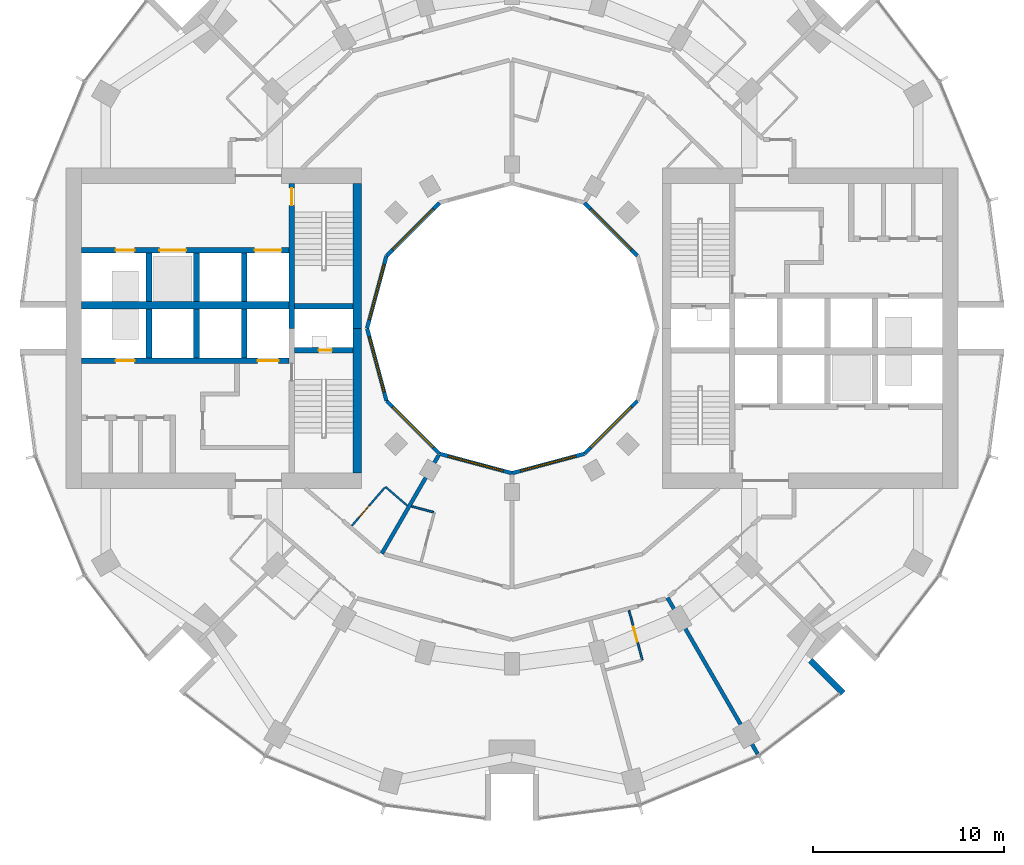
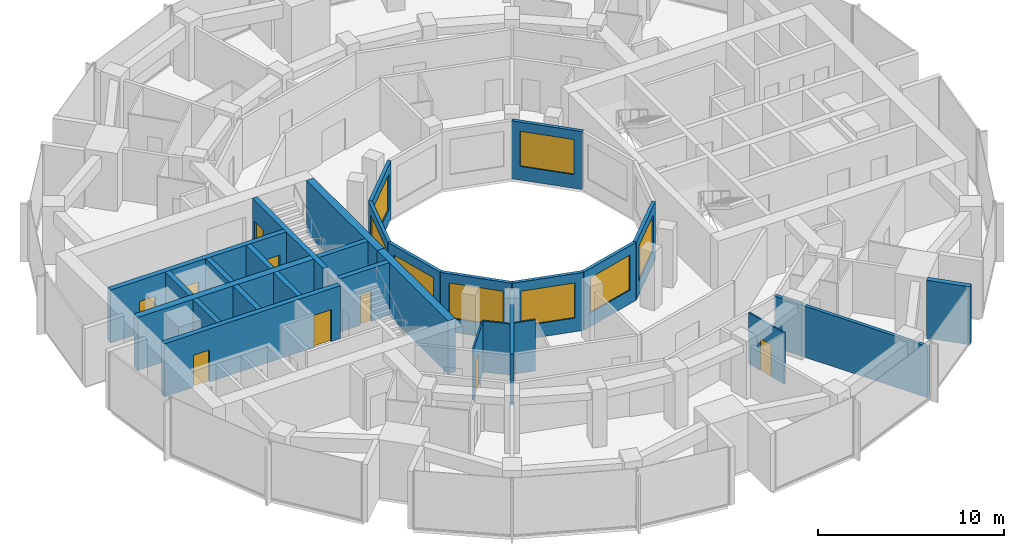
# One storey, part 9 of 15: 29 walls, 9 doors, 8 windows, 17 openings.
"""IFC4 building model written with IfcOpenShell, lengths in metres."""

import ifcopenshell
import ifcopenshell.guid

model = None  # the IFC model being written
_history = None  # IfcOwnerHistory: only IFC2X3 demands one
_inside = {}  # id of a spatial element -> (the spatial element, [elements in it])
_under = {}  # id of a project, library or spatial element -> (it, [spatial elements below it])
_declared = {}  # id of a project -> (the project, [libraries it declares])
_typed = {}  # id of a type object -> (the type object, [elements of that type])
_made_of = {}  # id of a material, layer set ... -> (it, [elements and type objects made of it])


def new_model(schema):
    """Start an empty IFC model of exactly this schema.

    Asked for "IFC4X3", IfcOpenShell would pick the latest addendum, in which some entities
    have other attributes; the version numbers below select the first issue.
    IFC2X3 requires an IfcOwnerHistory on every rooted entity: one is made here for all.
    """
    global model, _history
    if schema == "IFC4X3":
        model = ifcopenshell.file(schema_version=(4, 3, 0, 0))
    else:
        model = ifcopenshell.file(schema=schema)
    _inside.clear()
    _under.clear()
    _declared.clear()
    _typed.clear()
    _made_of.clear()
    _history = None
    if model.schema == "IFC2X3":
        org = make("IfcOrganization", Name="unknown")
        user = make(
            "IfcPersonAndOrganization",
            ThePerson=make("IfcPerson", FamilyName="unknown"),
            TheOrganization=org,
        )
        app = make(
            "IfcApplication",
            ApplicationDeveloper=org,
            Version="unknown",
            ApplicationFullName="unknown",
            ApplicationIdentifier="unknown",
        )
        _history = make(
            "IfcOwnerHistory",
            OwningUser=user,
            OwningApplication=app,
            ChangeAction="ADDED",
            CreationDate=0,
        )
    return model


def make(cls, **values):
    """One entity of the class cls with the attributes given. An attribute that is None is left unset."""
    return model.create_entity(
        cls, **{name: value for name, value in values.items() if value is not None}
    )


def rooted(cls, **values):
    """An entity with a GlobalId (a new one), such as an element, a storey or a relation."""
    return make(cls, GlobalId=ifcopenshell.guid.new(), OwnerHistory=_history, **values)


def si_unit(unit_type, name, prefix=None):
    """IfcSIUnit, for example si_unit("LENGTHUNIT", "METRE", prefix="MILLI")."""
    return make("IfcSIUnit", UnitType=unit_type, Prefix=prefix, Name=name)


def assignment(units):
    """IfcUnitAssignment: the units of a project."""
    return None if units is None else make("IfcUnitAssignment", Units=units)


def point(xyz):
    """IfcCartesianPoint."""
    return None if xyz is None else make("IfcCartesianPoint", Coordinates=xyz)


def direction(xyz):
    """IfcDirection."""
    return None if xyz is None else make("IfcDirection", DirectionRatios=xyz)


def frame(location, z_axis=None, x_axis=None):
    """IfcAxis2Placement3D, a coordinate frame: its origin and axes. An axis left out is left unset."""
    return make(
        "IfcAxis2Placement3D",
        Location=point(location),
        Axis=direction(z_axis),
        RefDirection=direction(x_axis),
    )


def frame_2d(location, x_axis=None):
    """IfcAxis2Placement2D, a coordinate frame in the plane: its origin and x axis."""
    return make(
        "IfcAxis2Placement2D", Location=point(location), RefDirection=direction(x_axis)
    )


def origin():
    """The frame at (0, 0, 0) with its axes left unset."""
    return frame((0.0, 0.0, 0.0))


def place(relative_to, where):
    """IfcLocalPlacement: puts the frame where relative to a parent placement (None: the world)."""
    return make(
        "IfcLocalPlacement", PlacementRelTo=relative_to, RelativePlacement=where
    )


def context(
    kind, dimensions, precision=None, world=None, true_north=None, identifier=None
):
    """IfcGeometricRepresentationContext, for example the 3D "Model" context."""
    return make(
        "IfcGeometricRepresentationContext",
        ContextIdentifier=identifier,
        ContextType=kind,
        CoordinateSpaceDimension=dimensions,
        Precision=precision,
        WorldCoordinateSystem=world,
        TrueNorth=true_north,
    )


def subcontext(parent, identifier, kind, view, scale=None):
    """IfcGeometricRepresentationSubContext, for example "Body" below "Model"."""
    return make(
        "IfcGeometricRepresentationSubContext",
        ContextIdentifier=identifier,
        ContextType=kind,
        ParentContext=parent,
        TargetScale=scale,
        TargetView=view,
    )


def project(units=None, contexts=None):
    """IfcProject with its units and contexts."""
    return rooted(
        "IfcProject",
        Name="project",
        RepresentationContexts=contexts,
        UnitsInContext=assignment(units),
    )


def spatial(cls, under=None, at=None, **own):
    """A site, building, storey or space (cls), placed at a placement, below another one or the project."""
    s = rooted(cls, ObjectPlacement=at, **own)
    if under is not None:
        _under.setdefault(under.id(), (under, []))[1].append(s)
    return s


def profile(cls, at=None, kind="AREA", **sizes):
    """A parametric profile (cls). Its sizes go by their IFC names, for example OverallWidth=200.0."""
    return make(cls, ProfileType=kind, Position=at, **sizes)


def rectangle(**sizes):
    """IfcRectangleProfileDef."""
    return profile("IfcRectangleProfileDef", **sizes)


def extrude(swept, where, along, depth):
    """IfcExtrudedAreaSolid: the profile swept, set in the frame where, extruded along a direction by depth."""
    return make(
        "IfcExtrudedAreaSolid",
        SweptArea=swept,
        Position=where,
        ExtrudedDirection=direction(along),
        Depth=depth,
    )


def shape(context_of_items, identifier, shape_type, items):
    """IfcShapeRepresentation: the items that make up one representation, for example the "Body"."""
    return make(
        "IfcShapeRepresentation",
        ContextOfItems=context_of_items,
        RepresentationIdentifier=identifier,
        RepresentationType=shape_type,
        Items=items,
    )


def material(Name=None, Category=None):
    """IfcMaterial."""
    return make("IfcMaterial", Name=Name, Category=Category)


def layer(
    of_material, thickness, ventilated=None, Name=None, Category=None, Priority=None
):
    """IfcMaterialLayer: one layer of a wall or slab, of a material (None: an air gap)."""
    return make(
        "IfcMaterialLayer",
        Material=of_material,
        LayerThickness=thickness,
        IsVentilated=ventilated,
        Name=Name,
        Category=Category,
        Priority=Priority,
    )


def layer_set(layers, Name=None):
    """IfcMaterialLayerSet."""
    return make("IfcMaterialLayerSet", MaterialLayers=layers, LayerSetName=Name)


def made_of(thing, what):
    """Note that an element or type object is made of a material, layer set ...; save() writes the relation."""
    if what is not None:
        _made_of.setdefault(what.id(), (what, []))[1].append(thing)
    return thing


def type_object(cls, material=None, **own):
    """A type object (cls), such as IfcWallType, which elements share."""
    return made_of(rooted(cls, **own), material)


def element(
    cls,
    number,
    at=None,
    inside=None,
    cuts=None,
    type_object=None,
    material=None,
    context=None,
    identifier="Body",
    shape_type=None,
    held_by="IfcProductDefinitionShape",
    body=None,
    shapes=None,
    **own,
):
    """One element of the class cls, such as IfcWall. Its Tag is "e" and its number.

    at: its placement. inside: the storey or other place that contains it. cuts: it is an
    opening in that element (IfcRelVoidsElement). A single representation is given by context,
    identifier, shape_type and body (its items); several are given by shapes. held_by: the class
    of the entity that holds the representations. save() writes the other relations.
    """
    e = rooted(cls, Tag="e%d" % number, ObjectPlacement=at, **own)
    if body is not None:
        shapes = [shape(context, identifier, shape_type, body)]
    if shapes is not None:
        e.Representation = make(held_by, Representations=shapes)
    if inside is not None:
        _inside.setdefault(inside.id(), (inside, []))[1].append(e)
    if cuts is not None:
        rooted(
            "IfcRelVoidsElement", RelatingBuildingElement=cuts, RelatedOpeningElement=e
        )
    if type_object is not None:
        _typed.setdefault(type_object.id(), (type_object, []))[1].append(e)
    return made_of(e, material)


def fill(opening, filler):
    """IfcRelFillsElement: the door or window that sits in an opening."""
    return rooted(
        "IfcRelFillsElement",
        RelatingOpeningElement=opening,
        RelatedBuildingElement=filler,
    )


def aggregate(whole, parts):
    """IfcRelAggregates: a whole, such as a stair, and the parts it consists of."""
    return rooted("IfcRelAggregates", RelatingObject=whole, RelatedObjects=parts)


def save(model, path):
    """Write the relations noted so far, then the file.

    IfcRelAggregates (storeys below a building ...), IfcRelContainedInSpatialStructure (elements
    in a storey), IfcRelDefinesByType, IfcRelAssociatesMaterial and IfcRelDeclares: one each for
    every whole, place, type object, material and project.
    """
    for whole, parts in _under.values():
        aggregate(whole, parts)
    for where, things in _inside.values():
        rooted(
            "IfcRelContainedInSpatialStructure",
            RelatedElements=things,
            RelatingStructure=where,
        )
    for kind, things in _typed.values():
        rooted("IfcRelDefinesByType", RelatedObjects=things, RelatingType=kind)
    for what, things in _made_of.values():
        rooted("IfcRelAssociatesMaterial", RelatedObjects=things, RelatingMaterial=what)
    for by, libraries in _declared.values():
        rooted("IfcRelDeclares", RelatingContext=by, RelatedDefinitions=libraries)
    model.write(path)


model = new_model("IFC4")

# Units and contexts
model_context = context("Model", 3, precision=1e-05, world=origin(), true_north=direction((0.0, 1.0)))
body_context = subcontext(model_context, "Body", "Model", "MODEL_VIEW")
ifc_project = project(units=[si_unit("LENGTHUNIT", "METRE"), si_unit("AREAUNIT", "SQUARE_METRE"), si_unit("VOLUMEUNIT", "CUBIC_METRE"), si_unit("PLANEANGLEUNIT", "RADIAN"), si_unit("MASSUNIT", "GRAM", prefix="KILO")], contexts=[model_context])

# Site, building, storey
site_placement = place(None, origin())
site = spatial("IfcSite", under=ifc_project, at=site_placement, CompositionType="ELEMENT")
building_placement = place(site_placement, origin())
building = spatial("IfcBuilding", under=site, at=building_placement, Name="Torre Brocal", CompositionType="ELEMENT")
storey_placement = place(building_placement, frame((0.0, 0.0, 93.800048828125)))
storey = spatial("IfcBuildingStorey", under=building, at=storey_placement, Name="L21", CompositionType="ELEMENT", Elevation=93.800048828125)

# Wall, opening, door
ifc_material_1 = material(Name="Concrete C80", Category="concrete")
ifc_layer_1 = layer(ifc_material_1, 0.300048828125)
ifc_layer_set_1 = layer_set([ifc_layer_1], Name="Concrete C80")
wall_type_1 = type_object("IfcWallType", Name="CORE WALL 300 C80", PredefinedType="SHEAR", material=ifc_layer_set_1)
wall_1_placement = place(storey_placement, frame((68.449951171875, 82.60009765625, 0.0), z_axis=(0.0, 0.0, 1.0), x_axis=(0.0, -1.0, 0.0)))
wall_1 = element("IfcWall", 1, at=wall_1_placement, inside=storey, type_object=wall_type_1, Name="Wall CW300-80", PredefinedType="SHEAR", context=body_context, shape_type="SweptSolid", body=[
    extrude(rectangle(XDim=7.60009765625, YDim=0.300048828125, at=frame_2d((3.800048828125, 0.0))), origin(), (0.0, 0.0, 1.0), 3.47998046875),
])
opening_1_placement = place(wall_1_placement, frame((0.25, 0.0, 0.0)))
opening_1 = element("IfcOpeningElement", 2, at=opening_1_placement, cuts=wall_1, Name="Opening W-D03", PredefinedType="OPENING", context=body_context, shape_type="SweptSolid", body=[
    extrude(rectangle(XDim=0.89990234375, YDim=2.10009765625, at=frame_2d((0.449951171875, 1.050048828125))), frame((0.0, 0.159912109375, 0.0), z_axis=(0.0, -1.0, 0.0), x_axis=(1.0, 0.0, 0.0)), (0.0, 0.0, 1.0), 0.320068359375),
])
ifc_material_2 = material(Name="Steel A653", Category="steel")
door_type_1 = type_object("IfcDoorType", Name="STAIR DOOR FD120 900X2100", OperationType="SINGLE_SWING_RIGHT", PredefinedType="DOOR", material=ifc_material_2)
door_1_placement = place(opening_1_placement, origin())
door_1 = element("IfcDoor", 3, at=door_1_placement, inside=storey, type_object=door_type_1, Name="Door W-D03", OperationType="SINGLE_SWING_LEFT", OverallHeight=2.10009765625, OverallWidth=0.89990234375, PredefinedType="DOOR", context=body_context, shape_type="SweptSolid", body=[
    extrude(rectangle(XDim=0.89990234375, YDim=2.10009765625, at=frame_2d((0.449951171875, 1.050048828125))), frame((0.0, 0.02490234375, 0.0), z_axis=(0.0, -1.0, 0.0), x_axis=(1.0, 0.0, 0.0)), (0.0, 0.0, 1.0), 0.050048828125),
])
fill(opening_1, door_1)

wall_2_placement = place(storey_placement, frame((71.64990234375, 73.85009765625, 0.0), z_axis=(0.0, 0.0, 1.0), x_axis=(-1.0, 0.0, 0.0)))
wall_2 = element("IfcWall", 4, at=wall_2_placement, inside=storey, type_object=wall_type_1, Name="Wall CW300-80", PredefinedType="SHEAR", context=body_context, shape_type="SweptSolid", body=[
    extrude(rectangle(XDim=3.0498046875, YDim=0.300048828125, at=frame_2d((1.52490234375, 0.0))), origin(), (0.0, 0.0, 1.0), 3.47998046875),
])
opening_2_placement = place(wall_2_placement, frame((1.10009765625, 0.0, 0.0)))
opening_2 = element("IfcOpeningElement", 5, at=opening_2_placement, cuts=wall_2, Name="Opening W-D01", PredefinedType="OPENING", context=body_context, shape_type="SweptSolid", body=[
    extrude(rectangle(XDim=0.699951171875, YDim=2.0, at=frame_2d((0.35009765625, 1.0))), frame((0.0, 0.159912109375, 0.0), z_axis=(0.0, -1.0, 0.0), x_axis=(1.0, 0.0, 0.0)), (0.0, 0.0, 1.0), 0.320068359375),
])
ifc_material_3 = material(Name="Steel A653", Category="steel")
door_type_2 = type_object("IfcDoorType", Name="RISER DOOR FD120 700X2000", OperationType="SINGLE_SWING_LEFT", PredefinedType="DOOR", material=ifc_material_3)
door_2_placement = place(opening_2_placement, frame((0.699951171875, 0.0, 0.0), z_axis=(0.0, 0.0, 1.0), x_axis=(-1.0, 0.0, 0.0)))
door_2 = element("IfcDoor", 6, at=door_2_placement, inside=storey, type_object=door_type_2, Name="Door W-D01", OperationType="SINGLE_SWING_RIGHT", OverallHeight=2.0, OverallWidth=0.699951171875, PredefinedType="DOOR", context=body_context, shape_type="SweptSolid", body=[
    extrude(rectangle(XDim=0.699951171875, YDim=2.0, at=frame_2d((0.35009765625, 1.0))), frame((0.0, 0.02490234375, 0.0), z_axis=(0.0, -1.0, 0.0), x_axis=(1.0, 0.0, 0.0)), (0.0, 0.0, 1.0), 0.050048828125),
])
fill(opening_2, door_2)

# Wall
wall_3_placement = place(storey_placement, frame((71.64990234375, 76.14990234375, 0.0), z_axis=(0.0, 0.0, 1.0), x_axis=(-1.0, 0.0, 0.0)))
element("IfcWall", 7, at=wall_3_placement, inside=storey, type_object=wall_type_1, Name="Wall CW300-80", PredefinedType="SHEAR", context=body_context, shape_type="SweptSolid", body=[
    extrude(rectangle(XDim=3.0498046875, YDim=0.300048828125, at=frame_2d((1.52490234375, 0.0))), origin(), (0.0, 0.0, 1.0), 3.47998046875),
])

# Wall, openings, doors
wall_4_placement = place(storey_placement, frame((68.300048828125, 73.300048828125, 0.0), z_axis=(0.0, 0.0, 1.0), x_axis=(-1.0, 0.0, 0.0)))
wall_4 = element("IfcWall", 8, at=wall_4_placement, inside=storey, type_object=wall_type_1, Name="Wall CW300-80", PredefinedType="SHEAR", context=body_context, shape_type="SweptSolid", body=[
    extrude(rectangle(XDim=10.900146484375, YDim=0.300048828125, at=frame_2d((5.4501953125, 0.0))), origin(), (0.0, 0.0, 1.0), 3.47998046875),
])
opening_3_placement = place(wall_4_placement, frame((0.550048828125, 0.0, 0.0)))
opening_3 = element("IfcOpeningElement", 9, at=opening_3_placement, cuts=wall_4, Name="Opening LD", PredefinedType="OPENING", context=body_context, shape_type="SweptSolid", body=[
    extrude(rectangle(XDim=1.10009765625, YDim=2.10009765625, at=frame_2d((0.550048828125, 1.050048828125))), frame((0.0, 0.159912109375, 0.0), z_axis=(0.0, -1.0, 0.0), x_axis=(1.0, 0.0, 0.0)), (0.0, 0.0, 1.0), 0.320068359375),
])
opening_4_placement = place(wall_4_placement, frame((8.10009765625, 0.0, 0.0)))
opening_4 = element("IfcOpeningElement", 10, at=opening_4_placement, cuts=wall_4, Name="Opening LD10", PredefinedType="OPENING", context=body_context, shape_type="SweptSolid", body=[
    extrude(rectangle(XDim=1.0, YDim=2.10009765625, at=frame_2d((0.5, 1.050048828125))), frame((0.0, 0.159912109375, 0.0), z_axis=(0.0, -1.0, 0.0), x_axis=(1.0, 0.0, 0.0)), (0.0, 0.0, 1.0), 0.320068359375),
])
ifc_material_4 = material(Name="Stainless steel AISI 316", Category="steel")
door_type_3 = type_object("IfcDoorType", Name="LIFT LANDING DOOR 1000X2100", OperationType="DOUBLE_DOOR_SLIDING", PredefinedType="DOOR", material=ifc_material_4)
door_3_placement = place(opening_4_placement, origin())
door_3 = element("IfcDoor", 11, at=door_3_placement, inside=storey, type_object=door_type_3, Name="Door LD10", OperationType="DOUBLE_DOOR_SLIDING", OverallHeight=2.10009765625, OverallWidth=1.0, PredefinedType="DOOR", context=body_context, shape_type="SweptSolid", body=[
    extrude(rectangle(XDim=1.0, YDim=2.10009765625, at=frame_2d((0.5, 1.050048828125))), frame((0.0, 0.02490234375, 0.0), z_axis=(0.0, -1.0, 0.0), x_axis=(1.0, 0.0, 0.0)), (0.0, 0.0, 1.0), 0.050048828125),
])
fill(opening_4, door_3)
ifc_material_5 = material(Name="Stainless steel AISI 316", Category="steel")
door_type_4 = type_object("IfcDoorType", Name="LIFT LANDING DOOR 1100X2100", OperationType="DOUBLE_DOOR_SLIDING", PredefinedType="DOOR", material=ifc_material_5)
door_4_placement = place(opening_3_placement, origin())
door_4 = element("IfcDoor", 12, at=door_4_placement, inside=storey, type_object=door_type_4, Name="Door LD", OperationType="DOUBLE_DOOR_SLIDING", OverallHeight=2.10009765625, OverallWidth=1.10009765625, PredefinedType="DOOR", context=body_context, shape_type="SweptSolid", body=[
    extrude(rectangle(XDim=1.10009765625, YDim=2.10009765625, at=frame_2d((0.550048828125, 1.050048828125))), frame((0.0, 0.02490234375, 0.0), z_axis=(0.0, -1.0, 0.0), x_axis=(1.0, 0.0, 0.0)), (0.0, 0.0, 1.0), 0.050048828125),
])
fill(opening_3, door_4)

wall_5_placement = place(storey_placement, frame((68.300048828125, 79.10009765625, 0.0), z_axis=(0.0, 0.0, 1.0), x_axis=(-1.0, 0.0, 0.0)))
wall_5 = element("IfcWall", 13, at=wall_5_placement, inside=storey, type_object=wall_type_1, Name="Wall CW300-80", PredefinedType="SHEAR", context=body_context, shape_type="SweptSolid", body=[
    extrude(rectangle(XDim=10.900146484375, YDim=0.300048828125, at=frame_2d((5.4501953125, 0.0))), origin(), (0.0, 0.0, 1.0), 3.47998046875),
])
opening_5_placement = place(wall_5_placement, frame((0.39990234375, 0.0, 0.0)))
opening_5 = element("IfcOpeningElement", 14, at=opening_5_placement, cuts=wall_5, Name="Opening LD14", PredefinedType="OPENING", context=body_context, shape_type="SweptSolid", body=[
    extrude(rectangle(XDim=1.39990234375, YDim=2.10009765625, at=frame_2d((0.699951171875, 1.050048828125))), frame((0.0, 0.159912109375, 0.0), z_axis=(0.0, -1.0, 0.0), x_axis=(1.0, 0.0, 0.0)), (0.0, 0.0, 1.0), 0.320068359375),
])
opening_6_placement = place(wall_5_placement, frame((5.39990234375, 0.0, 0.0)))
opening_6 = element("IfcOpeningElement", 15, at=opening_6_placement, cuts=wall_5, Name="Opening LD14", PredefinedType="OPENING", context=body_context, shape_type="SweptSolid", body=[
    extrude(rectangle(XDim=1.39990234375, YDim=2.10009765625, at=frame_2d((0.699951171875, 1.050048828125))), frame((0.0, 0.159912109375, 0.0), z_axis=(0.0, -1.0, 0.0), x_axis=(1.0, 0.0, 0.0)), (0.0, 0.0, 1.0), 0.320068359375),
])
opening_7_placement = place(wall_5_placement, frame((8.10009765625, 0.0, 0.0)))
opening_7 = element("IfcOpeningElement", 16, at=opening_7_placement, cuts=wall_5, Name="Opening LD10", PredefinedType="OPENING", context=body_context, shape_type="SweptSolid", body=[
    extrude(rectangle(XDim=1.0, YDim=2.10009765625, at=frame_2d((0.5, 1.050048828125))), frame((0.0, 0.159912109375, 0.0), z_axis=(0.0, -1.0, 0.0), x_axis=(1.0, 0.0, 0.0)), (0.0, 0.0, 1.0), 0.320068359375),
])
door_5_placement = place(opening_7_placement, origin())
door_5 = element("IfcDoor", 17, at=door_5_placement, inside=storey, type_object=door_type_3, Name="Door LD10", OperationType="DOUBLE_DOOR_SLIDING", OverallHeight=2.10009765625, OverallWidth=1.0, PredefinedType="DOOR", context=body_context, shape_type="SweptSolid", body=[
    extrude(rectangle(XDim=1.0, YDim=2.10009765625, at=frame_2d((0.5, 1.050048828125))), frame((0.0, 0.02490234375, 0.0), z_axis=(0.0, -1.0, 0.0), x_axis=(1.0, 0.0, 0.0)), (0.0, 0.0, 1.0), 0.050048828125),
])
fill(opening_7, door_5)
ifc_material_6 = material(Name="Stainless steel AISI 316", Category="steel")
door_type_5 = type_object("IfcDoorType", Name="LIFT LANDING DOOR 1400X2100", OperationType="DOUBLE_DOOR_SLIDING", PredefinedType="DOOR", material=ifc_material_6)
door_6_placement = place(opening_5_placement, origin())
door_6 = element("IfcDoor", 18, at=door_6_placement, inside=storey, type_object=door_type_5, Name="Door LD14", OperationType="DOUBLE_DOOR_SLIDING", OverallHeight=2.10009765625, OverallWidth=1.39990234375, PredefinedType="DOOR", context=body_context, shape_type="SweptSolid", body=[
    extrude(rectangle(XDim=1.39990234375, YDim=2.10009765625, at=frame_2d((0.699951171875, 1.050048828125))), frame((0.0, 0.02490234375, 0.0), z_axis=(0.0, -1.0, 0.0), x_axis=(1.0, 0.0, 0.0)), (0.0, 0.0, 1.0), 0.050048828125),
])
fill(opening_5, door_6)
door_7_placement = place(opening_6_placement, origin())
door_7 = element("IfcDoor", 19, at=door_7_placement, inside=storey, type_object=door_type_5, Name="Door LD14", OperationType="DOUBLE_DOOR_SLIDING", OverallHeight=2.10009765625, OverallWidth=1.39990234375, PredefinedType="DOOR", context=body_context, shape_type="SweptSolid", body=[
    extrude(rectangle(XDim=1.39990234375, YDim=2.10009765625, at=frame_2d((0.699951171875, 1.050048828125))), frame((0.0, 0.02490234375, 0.0), z_axis=(0.0, -1.0, 0.0), x_axis=(1.0, 0.0, 0.0)), (0.0, 0.0, 1.0), 0.050048828125),
])
fill(opening_6, door_7)

# Walls
for number, where, z_axis, x_axis, name in (
    (20, (65.949951171875, 76.0, 0.0), (0.0, 0.0, 1.0), (0.0, -1.0, 0.0), "Wall CW300-80"),
    (21, (63.449951171875, 76.0, 0.0), (0.0, 0.0, 1.0), (0.0, -1.0, 0.0), "Wall CW300-80"),
    (22, (60.949951171875, 76.0, 0.0), (0.0, 0.0, 1.0), (0.0, -1.0, 0.0), "Wall CW300-80"),
    (23, (65.949951171875, 78.949951171875, 0.0), (0.0, 0.0, 1.0), (0.0, -1.0, 0.0), "Wall CW300-80"),
    (24, (63.449951171875, 78.949951171875, 0.0), (0.0, 0.0, 1.0), (0.0, -1.0, 0.0), "Wall CW300-80"),
    (25, (60.949951171875, 78.949951171875, 0.0), (0.0, 0.0, 1.0), (0.0, -1.0, 0.0), "Wall CW300-80"),
):
    element("IfcWall", number, at=place(storey_placement, frame(where, z_axis=z_axis, x_axis=x_axis)), inside=storey, type_object=wall_type_1, Name=name, PredefinedType="SHEAR", context=body_context, shape_type="SweptSolid", body=[
        extrude(rectangle(XDim=2.550048828125, YDim=0.300048828125, at=frame_2d((1.27490234375, 0.0))), origin(), (0.0, 0.0, 1.0), 3.47998046875),
    ])
ifc_material_7 = material(Name="Concrete C80", Category="concrete")
ifc_layer_2 = layer(ifc_material_7, 0.39990234375)
ifc_layer_set_2 = layer_set([ifc_layer_2], Name="Concrete C80")
wall_type_2 = type_object("IfcWallType", Name="CORE WALL 400 C80", PredefinedType="SHEAR", material=ifc_layer_set_2)
wall_6_placement = place(storey_placement, frame((68.300048828125, 76.199951171875, 0.0), z_axis=(0.0, 0.0, 1.0), x_axis=(-1.0, 0.0, 0.0)))
element("IfcWall", 26, at=wall_6_placement, inside=storey, type_object=wall_type_2, Name="Wall CW400-80", PredefinedType="SHEAR", context=body_context, shape_type="SweptSolid", body=[
    extrude(rectangle(XDim=10.900146484375, YDim=0.39990234375, at=frame_2d((5.4501953125, 0.0))), origin(), (0.0, 0.0, 1.0), 3.47998046875),
])
ifc_material_8 = material(Name="Concrete C80", Category="concrete")
ifc_layer_3 = layer(ifc_material_8, 0.449951171875)
ifc_layer_set_3 = layer_set([ifc_layer_3], Name="Concrete C80")
wall_type_3 = type_object("IfcWallType", Name="CORE WALL 450 C80", PredefinedType="SHEAR", material=ifc_layer_set_3)
for number, where, z_axis, x_axis, name in (
    (27, (71.875, 75.0, 0.0), (0.0, 0.0, 1.0), (0.0, -1.0, 0.0), "Wall CW450-80"),
    (28, (71.875, 82.60009765625, 0.0), (0.0, 0.0, 1.0), (0.0, -1.0, 0.0), "Wall CW450-80"),
):
    element("IfcWall", number, at=place(storey_placement, frame(where, z_axis=z_axis, x_axis=x_axis)), inside=storey, type_object=wall_type_3, Name=name, PredefinedType="SHEAR", context=body_context, shape_type="SweptSolid", body=[
        extrude(rectangle(XDim=7.60009765625, YDim=0.449951171875, at=frame_2d((3.800048828125, 0.0))), origin(), (0.0, 0.0, 1.0), 3.47998046875),
    ])
ifc_material_9 = material(Name="Concrete C80", Category="concrete")
ifc_layer_4 = layer(ifc_material_9, 0.300048828125)
ifc_layer_set_4 = layer_set([ifc_layer_4], Name="Concrete C80")
wall_type_4 = type_object("IfcWallType", Name="NOTCH RETURN WALL 300 C80", PredefinedType="NOTDEFINED", material=ifc_layer_set_4)
wall_7_placement = place(storey_placement, frame((95.662353515625, 57.56982421875, 0.0), z_axis=(0.0, 0.0, 1.0), x_axis=(0.707106781187, -0.707106781187, 0.0)))
element("IfcWall", 29, at=wall_7_placement, inside=storey, type_object=wall_type_4, Name="NOTCH RETURN WALL", PredefinedType="NOTDEFINED", context=body_context, shape_type="SweptSolid", body=[
    extrude(rectangle(XDim=2.415771484375, YDim=0.300048828125, at=frame_2d((1.2080078125, 0.0))), origin(), (0.0, 0.0, 1.0), 3.800048828125),
])

# Wall, opening, door
ifc_material_10 = material(Name="Gypsum board", Category="Gypsum")
ifc_layer_5 = layer(ifc_material_10, 0.10009765625)
ifc_layer_set_5 = layer_set([ifc_layer_5], Name="Gypsum board")
wall_type_5 = type_object("IfcWallType", Name="PARTITION 100", PredefinedType="PARTITIONING", material=ifc_layer_set_5)
wall_8_placement = place(storey_placement, frame((71.59619140625, 64.634765625, 0.0), z_axis=(0.0, 0.0, 1.0), x_axis=(0.652285007511, 0.757973791748, 0.0)))
wall_8 = element("IfcWall", 30, at=wall_8_placement, inside=storey, type_object=wall_type_5, Name="BATHROOM WALL", PredefinedType="PARTITIONING", context=body_context, shape_type="SweptSolid", body=[
    extrude(rectangle(XDim=2.649658203125, YDim=0.10009765625, at=frame_2d((1.32470703125, 0.0))), origin(), (0.0, 0.0, 1.0), 3.349853515625),
])
opening_8_placement = place(wall_8_placement, frame((0.599609375, 0.0, 0.0)))
opening_8 = element("IfcOpeningElement", 31, at=opening_8_placement, cuts=wall_8, Name="Opening H06-D34", PredefinedType="OPENING", context=body_context, shape_type="SweptSolid", body=[
    extrude(rectangle(XDim=0.800048828125, YDim=2.10009765625, at=frame_2d((0.39990234375, 1.050048828125))), frame((0.0, 0.06005859375, 0.0), z_axis=(0.0, -1.0, 0.0), x_axis=(1.0, 0.0, 0.0)), (0.0, 0.0, 1.0), 0.1201171875),
])
ifc_material_11 = material(Name="Timber", Category="wood")
door_type_6 = type_object("IfcDoorType", Name="BATHROOM DOOR 800X2100", OperationType="SINGLE_SWING_LEFT", PredefinedType="DOOR", material=ifc_material_11)
door_8_placement = place(opening_8_placement, frame((0.800048828125, 0.0, 0.0), z_axis=(0.0, 0.0, 1.0), x_axis=(-1.0, 0.0, 0.0)))
door_8 = element("IfcDoor", 32, at=door_8_placement, inside=storey, type_object=door_type_6, Name="H06-D34", OperationType="SINGLE_SWING_RIGHT", OverallHeight=2.10009765625, OverallWidth=0.800048828125, PredefinedType="DOOR", context=body_context, shape_type="SweptSolid", body=[
    extrude(rectangle(XDim=0.800048828125, YDim=2.10009765625, at=frame_2d((0.39990234375, 1.050048828125))), frame((0.0, 0.02490234375, 0.0), z_axis=(0.0, -1.0, 0.0), x_axis=(1.0, 0.0, 0.0)), (0.0, 0.0, 1.0), 0.050048828125),
])
fill(opening_8, door_8)

# Walls
wall_9_placement = place(storey_placement, frame((73.35693359375, 66.680908203125, 0.0), z_axis=(0.0, 0.0, 1.0), x_axis=(0.758263469747, -0.651948242154, 0.0)))
element("IfcWall", 33, at=wall_9_placement, inside=storey, type_object=wall_type_5, Name="BATHROOM WALL", PredefinedType="PARTITIONING", context=body_context, shape_type="SweptSolid", body=[
    extrude(rectangle(XDim=1.510986328125, YDim=0.10009765625, at=frame_2d((0.75537109375, 0.0))), origin(), (0.0, 0.0, 1.0), 3.349853515625),
])
wall_10_placement = place(storey_placement, frame((74.729248046875, 65.657470703125, 0.0), z_axis=(0.0, 0.0, 1.0), x_axis=(0.965948051503, -0.258736085224, 0.0)))
element("IfcWall", 34, at=wall_10_placement, inside=storey, type_object=wall_type_5, Name="BATHROOM WALL", PredefinedType="PARTITIONING", context=body_context, shape_type="SweptSolid", body=[
    extrude(rectangle(XDim=1.18896484375, YDim=0.10009765625, at=frame_2d((0.594482421875, 0.0))), origin(), (0.0, 0.0, 1.0), 3.349853515625),
])

# Wall, opening, door
wall_11_placement = place(storey_placement, frame((86.139892578125, 60.196044921875, 0.0), z_axis=(0.0, 0.0, 1.0), x_axis=(0.258945475746, -0.965891940432, 0.0)))
wall_11 = element("IfcWall", 35, at=wall_11_placement, inside=storey, type_object=wall_type_5, Name="BATHROOM WALL", PredefinedType="PARTITIONING", context=body_context, shape_type="SweptSolid", body=[
    extrude(rectangle(XDim=2.7001953125, YDim=0.10009765625, at=frame_2d((1.35009765625, 0.0))), origin(), (0.0, 0.0, 1.0), 3.349853515625),
])
opening_9_placement = place(wall_11_placement, frame((0.89990234375, 0.0, 0.0)))
opening_9 = element("IfcOpeningElement", 36, at=opening_9_placement, cuts=wall_11, Name="Opening H06-D24", PredefinedType="OPENING", context=body_context, shape_type="SweptSolid", body=[
    extrude(rectangle(XDim=0.800048828125, YDim=2.10009765625, at=frame_2d((0.39990234375, 1.050048828125))), frame((0.0, 0.06005859375, 0.0), z_axis=(0.0, -1.0, 0.0), x_axis=(1.0, 0.0, 0.0)), (0.0, 0.0, 1.0), 0.1201171875),
])
door_9_placement = place(opening_9_placement, frame((0.800048828125, 0.0, 0.0), z_axis=(0.0, 0.0, 1.0), x_axis=(-1.0, 0.0, 0.0)))
door_9 = element("IfcDoor", 37, at=door_9_placement, inside=storey, type_object=door_type_6, Name="H06-D24", OperationType="SINGLE_SWING_RIGHT", OverallHeight=2.10009765625, OverallWidth=0.800048828125, PredefinedType="DOOR", context=body_context, shape_type="SweptSolid", body=[
    extrude(rectangle(XDim=0.800048828125, YDim=2.10009765625, at=frame_2d((0.39990234375, 1.050048828125))), frame((0.0, 0.02490234375, 0.0), z_axis=(0.0, -1.0, 0.0), x_axis=(1.0, 0.0, 0.0)), (0.0, 0.0, 1.0), 0.050048828125),
])
fill(opening_9, door_9)

# Walls
ifc_material_12 = material(Name="Gypsum board", Category="Gypsum")
ifc_layer_6 = layer(ifc_material_12, 0.199951171875)
ifc_layer_set_6 = layer_set([ifc_layer_6], Name="Gypsum board")
wall_type_6 = type_object("IfcWallType", Name="PARTITION 200 EI60", PredefinedType="PARTITIONING", material=ifc_layer_set_6)
wall_12_placement = place(storey_placement, frame((73.1708984375, 63.17724609375, 0.0), z_axis=(0.0, 0.0, 1.0), x_axis=(0.500257106344, 0.865876912472, 0.0)))
element("IfcWall", 38, at=wall_12_placement, inside=storey, type_object=wall_type_6, Name="BATHROOM WALL", PredefinedType="PARTITIONING", context=body_context, shape_type="SweptSolid", body=[
    extrude(rectangle(XDim=5.954833984375, YDim=0.199951171875, at=frame_2d((2.9775390625, 0.0))), origin(), (0.0, 0.0, 1.0), 3.349853515625),
])
wall_13_placement = place(storey_placement, frame((88.158203125, 60.862060546875, 0.0), z_axis=(0.0, 0.0, 1.0), x_axis=(0.499916512745, -0.866073599808, 0.0)))
element("IfcWall", 39, at=wall_13_placement, inside=storey, type_object=wall_type_6, Name="PARTY PARTITION", PredefinedType="PARTITIONING", context=body_context, shape_type="SweptSolid", body=[
    extrude(rectangle(XDim=9.474609375, YDim=0.199951171875, at=frame_2d((4.7373046875, 0.0))), origin(), (0.0, 0.0, 1.0), 3.349853515625),
])

# Wall, opening, window
ifc_material_13 = material(Name="Concrete C40", Category="concrete")
ifc_layer_7 = layer(ifc_material_13, 0.199951171875)
ifc_layer_set_7 = layer_set([ifc_layer_7], Name="Concrete C40")
wall_type_7 = type_object("IfcWallType", Name="WELL FACADE WALL 200", PredefinedType="NOTDEFINED", material=ifc_layer_set_7)
wall_14_placement = place(storey_placement, frame((86.5849609375, 78.8017578125, 0.0), z_axis=(0.0, 0.0, 1.0), x_axis=(-0.707106781187, 0.707106781187, 0.0)))
wall_14 = element("IfcWall", 40, at=wall_14_placement, inside=storey, type_object=wall_type_7, Name="WELL FACADE WALL", PredefinedType="NOTDEFINED", context=body_context, shape_type="SweptSolid", body=[
    extrude(rectangle(XDim=3.93603515625, YDim=0.199951171875, at=frame_2d((1.968017578125, 0.0))), origin(), (0.0, 0.0, 1.0), 3.800048828125),
])
opening_10_placement = place(wall_14_placement, frame((0.468017578125, 0.0, 0.89990234375)))
opening_10 = element("IfcOpeningElement", 41, at=opening_10_placement, cuts=wall_14, Name="Opening W1", PredefinedType="OPENING", context=body_context, shape_type="SweptSolid", body=[
    extrude(rectangle(XDim=3.0, YDim=2.300048828125, at=frame_2d((1.5, 1.14990234375))), frame((0.0, 0.10986328125, 0.0), z_axis=(0.0, -1.0, 0.0), x_axis=(1.0, 0.0, 0.0)), (0.0, 0.0, 1.0), 0.219970703125),
])
ifc_material_14 = material(Name="Aluminium and glass", Category="aluminium")
window_type = type_object("IfcWindowType", Name="WELL WINDOW 3000X2300", PartitioningType="SINGLE_PANEL", PredefinedType="WINDOW", material=ifc_material_14)
window_1_placement = place(opening_10_placement, origin())
window_1 = element("IfcWindow", 42, at=window_1_placement, inside=storey, type_object=window_type, Name="WELL WINDOW 3000X2300", OverallHeight=2.300048828125, OverallWidth=3.0, PartitioningType="SINGLE_PANEL", PredefinedType="WINDOW", context=body_context, shape_type="SweptSolid", body=[
    extrude(rectangle(XDim=3.0, YDim=2.300048828125, at=frame_2d((1.5, 1.14990234375))), frame((0.0, 0.030029296875, 0.0), z_axis=(0.0, -1.0, 0.0), x_axis=(1.0, 0.0, 0.0)), (0.0, 0.0, 1.0), 0.06005859375),
])
fill(opening_10, window_1)

wall_15_placement = place(storey_placement, frame((76.1982421875, 81.5849609375, 0.0), z_axis=(0.0, 0.0, 1.0), x_axis=(-0.707106781187, -0.707106781187, 0.0)))
wall_15 = element("IfcWall", 43, at=wall_15_placement, inside=storey, type_object=wall_type_7, Name="WELL FACADE WALL", PredefinedType="NOTDEFINED", context=body_context, shape_type="SweptSolid", body=[
    extrude(rectangle(XDim=3.93603515625, YDim=0.199951171875, at=frame_2d((1.968017578125, 0.0))), origin(), (0.0, 0.0, 1.0), 3.800048828125),
])
opening_11_placement = place(wall_15_placement, frame((0.468017578125, 0.0, 0.89990234375)))
opening_11 = element("IfcOpeningElement", 44, at=opening_11_placement, cuts=wall_15, Name="Opening W1", PredefinedType="OPENING", context=body_context, shape_type="SweptSolid", body=[
    extrude(rectangle(XDim=3.0, YDim=2.300048828125, at=frame_2d((1.5, 1.14990234375))), frame((0.0, 0.10986328125, 0.0), z_axis=(0.0, -1.0, 0.0), x_axis=(1.0, 0.0, 0.0)), (0.0, 0.0, 1.0), 0.219970703125),
])
window_2_placement = place(opening_11_placement, origin())
window_2 = element("IfcWindow", 45, at=window_2_placement, inside=storey, type_object=window_type, Name="WELL WINDOW 3000X2300", OverallHeight=2.300048828125, OverallWidth=3.0, PartitioningType="SINGLE_PANEL", PredefinedType="WINDOW", context=body_context, shape_type="SweptSolid", body=[
    extrude(rectangle(XDim=3.0, YDim=2.300048828125, at=frame_2d((1.5, 1.14990234375))), frame((0.0, 0.030029296875, 0.0), z_axis=(0.0, -1.0, 0.0), x_axis=(1.0, 0.0, 0.0)), (0.0, 0.0, 1.0), 0.06005859375),
])
fill(opening_11, window_2)

wall_16_placement = place(storey_placement, frame((73.4150390625, 78.8017578125, 0.0), z_axis=(0.0, 0.0, 1.0), x_axis=(-0.258789828301, -0.965933654434, 0.0)))
wall_16 = element("IfcWall", 46, at=wall_16_placement, inside=storey, type_object=wall_type_7, Name="WELL FACADE WALL", PredefinedType="NOTDEFINED", context=body_context, shape_type="SweptSolid", body=[
    extrude(rectangle(XDim=3.935791015625, YDim=0.199951171875, at=frame_2d((1.9677734375, 0.0))), origin(), (0.0, 0.0, 1.0), 3.800048828125),
])
opening_12_placement = place(wall_16_placement, frame((0.468017578125, 0.0, 0.89990234375)))
opening_12 = element("IfcOpeningElement", 47, at=opening_12_placement, cuts=wall_16, Name="Opening W1", PredefinedType="OPENING", context=body_context, shape_type="SweptSolid", body=[
    extrude(rectangle(XDim=3.0, YDim=2.300048828125, at=frame_2d((1.5, 1.14990234375))), frame((0.0, 0.10986328125, 0.0), z_axis=(0.0, -1.0, 0.0), x_axis=(1.0, 0.0, 0.0)), (0.0, 0.0, 1.0), 0.219970703125),
])
window_3_placement = place(opening_12_placement, origin())
window_3 = element("IfcWindow", 48, at=window_3_placement, inside=storey, type_object=window_type, Name="WELL WINDOW 3000X2300", OverallHeight=2.300048828125, OverallWidth=3.0, PartitioningType="SINGLE_PANEL", PredefinedType="WINDOW", context=body_context, shape_type="SweptSolid", body=[
    extrude(rectangle(XDim=3.0, YDim=2.300048828125, at=frame_2d((1.5, 1.14990234375))), frame((0.0, 0.030029296875, 0.0), z_axis=(0.0, -1.0, 0.0), x_axis=(1.0, 0.0, 0.0)), (0.0, 0.0, 1.0), 0.06005859375),
])
fill(opening_12, window_3)

wall_17_placement = place(storey_placement, frame((72.396484375, 75.0, 0.0), z_axis=(0.0, 0.0, 1.0), x_axis=(0.258789828301, -0.965933654434, 0.0)))
wall_17 = element("IfcWall", 49, at=wall_17_placement, inside=storey, type_object=wall_type_7, Name="WELL FACADE WALL", PredefinedType="NOTDEFINED", context=body_context, shape_type="SweptSolid", body=[
    extrude(rectangle(XDim=3.935791015625, YDim=0.199951171875, at=frame_2d((1.9677734375, 0.0))), origin(), (0.0, 0.0, 1.0), 3.800048828125),
])
opening_13_placement = place(wall_17_placement, frame((0.468017578125, 0.0, 0.89990234375)))
opening_13 = element("IfcOpeningElement", 50, at=opening_13_placement, cuts=wall_17, Name="Opening W1", PredefinedType="OPENING", context=body_context, shape_type="SweptSolid", body=[
    extrude(rectangle(XDim=3.0, YDim=2.300048828125, at=frame_2d((1.5, 1.14990234375))), frame((0.0, 0.10986328125, 0.0), z_axis=(0.0, -1.0, 0.0), x_axis=(1.0, 0.0, 0.0)), (0.0, 0.0, 1.0), 0.219970703125),
])
window_4_placement = place(opening_13_placement, origin())
window_4 = element("IfcWindow", 51, at=window_4_placement, inside=storey, type_object=window_type, Name="WELL WINDOW 3000X2300", OverallHeight=2.300048828125, OverallWidth=3.0, PartitioningType="SINGLE_PANEL", PredefinedType="WINDOW", context=body_context, shape_type="SweptSolid", body=[
    extrude(rectangle(XDim=3.0, YDim=2.300048828125, at=frame_2d((1.5, 1.14990234375))), frame((0.0, 0.030029296875, 0.0), z_axis=(0.0, -1.0, 0.0), x_axis=(1.0, 0.0, 0.0)), (0.0, 0.0, 1.0), 0.06005859375),
])
fill(opening_13, window_4)

wall_18_placement = place(storey_placement, frame((73.4150390625, 71.1982421875, 0.0), z_axis=(0.0, 0.0, 1.0), x_axis=(0.707106781187, -0.707106781187, 0.0)))
wall_18 = element("IfcWall", 52, at=wall_18_placement, inside=storey, type_object=wall_type_7, Name="WELL FACADE WALL", PredefinedType="NOTDEFINED", context=body_context, shape_type="SweptSolid", body=[
    extrude(rectangle(XDim=3.93603515625, YDim=0.199951171875, at=frame_2d((1.968017578125, 0.0))), origin(), (0.0, 0.0, 1.0), 3.800048828125),
])
opening_14_placement = place(wall_18_placement, frame((0.468017578125, 0.0, 0.89990234375)))
opening_14 = element("IfcOpeningElement", 53, at=opening_14_placement, cuts=wall_18, Name="Opening W1", PredefinedType="OPENING", context=body_context, shape_type="SweptSolid", body=[
    extrude(rectangle(XDim=3.0, YDim=2.300048828125, at=frame_2d((1.5, 1.14990234375))), frame((0.0, 0.10986328125, 0.0), z_axis=(0.0, -1.0, 0.0), x_axis=(1.0, 0.0, 0.0)), (0.0, 0.0, 1.0), 0.219970703125),
])
window_5_placement = place(opening_14_placement, origin())
window_5 = element("IfcWindow", 54, at=window_5_placement, inside=storey, type_object=window_type, Name="WELL WINDOW 3000X2300", OverallHeight=2.300048828125, OverallWidth=3.0, PartitioningType="SINGLE_PANEL", PredefinedType="WINDOW", context=body_context, shape_type="SweptSolid", body=[
    extrude(rectangle(XDim=3.0, YDim=2.300048828125, at=frame_2d((1.5, 1.14990234375))), frame((0.0, 0.030029296875, 0.0), z_axis=(0.0, -1.0, 0.0), x_axis=(1.0, 0.0, 0.0)), (0.0, 0.0, 1.0), 0.06005859375),
])
fill(opening_14, window_5)

wall_19_placement = place(storey_placement, frame((76.1982421875, 68.4150390625, 0.0), z_axis=(0.0, 0.0, 1.0), x_axis=(0.965933654434, -0.258789828301, 0.0)))
wall_19 = element("IfcWall", 55, at=wall_19_placement, inside=storey, type_object=wall_type_7, Name="WELL FACADE WALL", PredefinedType="NOTDEFINED", context=body_context, shape_type="SweptSolid", body=[
    extrude(rectangle(XDim=3.935791015625, YDim=0.199951171875, at=frame_2d((1.9677734375, 0.0))), origin(), (0.0, 0.0, 1.0), 3.800048828125),
])
opening_15_placement = place(wall_19_placement, frame((0.468017578125, 0.0, 0.89990234375)))
opening_15 = element("IfcOpeningElement", 56, at=opening_15_placement, cuts=wall_19, Name="Opening W1", PredefinedType="OPENING", context=body_context, shape_type="SweptSolid", body=[
    extrude(rectangle(XDim=3.0, YDim=2.300048828125, at=frame_2d((1.5, 1.14990234375))), frame((0.0, 0.10986328125, 0.0), z_axis=(0.0, -1.0, 0.0), x_axis=(1.0, 0.0, 0.0)), (0.0, 0.0, 1.0), 0.219970703125),
])
window_6_placement = place(opening_15_placement, origin())
window_6 = element("IfcWindow", 57, at=window_6_placement, inside=storey, type_object=window_type, Name="WELL WINDOW 3000X2300", OverallHeight=2.300048828125, OverallWidth=3.0, PartitioningType="SINGLE_PANEL", PredefinedType="WINDOW", context=body_context, shape_type="SweptSolid", body=[
    extrude(rectangle(XDim=3.0, YDim=2.300048828125, at=frame_2d((1.5, 1.14990234375))), frame((0.0, 0.030029296875, 0.0), z_axis=(0.0, -1.0, 0.0), x_axis=(1.0, 0.0, 0.0)), (0.0, 0.0, 1.0), 0.06005859375),
])
fill(opening_15, window_6)

wall_20_placement = place(storey_placement, frame((80.0, 67.396484375, 0.0), z_axis=(0.0, 0.0, 1.0), x_axis=(0.965933654434, 0.258789828301, 0.0)))
wall_20 = element("IfcWall", 58, at=wall_20_placement, inside=storey, type_object=wall_type_7, Name="WELL FACADE WALL", PredefinedType="NOTDEFINED", context=body_context, shape_type="SweptSolid", body=[
    extrude(rectangle(XDim=3.935791015625, YDim=0.199951171875, at=frame_2d((1.9677734375, 0.0))), origin(), (0.0, 0.0, 1.0), 3.800048828125),
])
opening_16_placement = place(wall_20_placement, frame((0.468017578125, 0.0, 0.89990234375)))
opening_16 = element("IfcOpeningElement", 59, at=opening_16_placement, cuts=wall_20, Name="Opening W1", PredefinedType="OPENING", context=body_context, shape_type="SweptSolid", body=[
    extrude(rectangle(XDim=3.0, YDim=2.300048828125, at=frame_2d((1.5, 1.14990234375))), frame((0.0, 0.10986328125, 0.0), z_axis=(0.0, -1.0, 0.0), x_axis=(1.0, 0.0, 0.0)), (0.0, 0.0, 1.0), 0.219970703125),
])
window_7_placement = place(opening_16_placement, origin())
window_7 = element("IfcWindow", 60, at=window_7_placement, inside=storey, type_object=window_type, Name="WELL WINDOW 3000X2300", OverallHeight=2.300048828125, OverallWidth=3.0, PartitioningType="SINGLE_PANEL", PredefinedType="WINDOW", context=body_context, shape_type="SweptSolid", body=[
    extrude(rectangle(XDim=3.0, YDim=2.300048828125, at=frame_2d((1.5, 1.14990234375))), frame((0.0, 0.030029296875, 0.0), z_axis=(0.0, -1.0, 0.0), x_axis=(1.0, 0.0, 0.0)), (0.0, 0.0, 1.0), 0.06005859375),
])
fill(opening_16, window_7)

wall_21_placement = place(storey_placement, frame((83.8017578125, 68.4150390625, 0.0), z_axis=(0.0, 0.0, 1.0), x_axis=(0.707106781187, 0.707106781187, 0.0)))
wall_21 = element("IfcWall", 61, at=wall_21_placement, inside=storey, type_object=wall_type_7, Name="WELL FACADE WALL", PredefinedType="NOTDEFINED", context=body_context, shape_type="SweptSolid", body=[
    extrude(rectangle(XDim=3.93603515625, YDim=0.199951171875, at=frame_2d((1.968017578125, 0.0))), origin(), (0.0, 0.0, 1.0), 3.800048828125),
])
opening_17_placement = place(wall_21_placement, frame((0.468017578125, 0.0, 0.89990234375)))
opening_17 = element("IfcOpeningElement", 62, at=opening_17_placement, cuts=wall_21, Name="Opening W1", PredefinedType="OPENING", context=body_context, shape_type="SweptSolid", body=[
    extrude(rectangle(XDim=3.0, YDim=2.300048828125, at=frame_2d((1.5, 1.14990234375))), frame((0.0, 0.10986328125, 0.0), z_axis=(0.0, -1.0, 0.0), x_axis=(1.0, 0.0, 0.0)), (0.0, 0.0, 1.0), 0.219970703125),
])
window_8_placement = place(opening_17_placement, origin())
window_8 = element("IfcWindow", 63, at=window_8_placement, inside=storey, type_object=window_type, Name="WELL WINDOW 3000X2300", OverallHeight=2.300048828125, OverallWidth=3.0, PartitioningType="SINGLE_PANEL", PredefinedType="WINDOW", context=body_context, shape_type="SweptSolid", body=[
    extrude(rectangle(XDim=3.0, YDim=2.300048828125, at=frame_2d((1.5, 1.14990234375))), frame((0.0, 0.030029296875, 0.0), z_axis=(0.0, -1.0, 0.0), x_axis=(1.0, 0.0, 0.0)), (0.0, 0.0, 1.0), 0.06005859375),
])
fill(opening_17, window_8)

save(model, "model.ifc")
